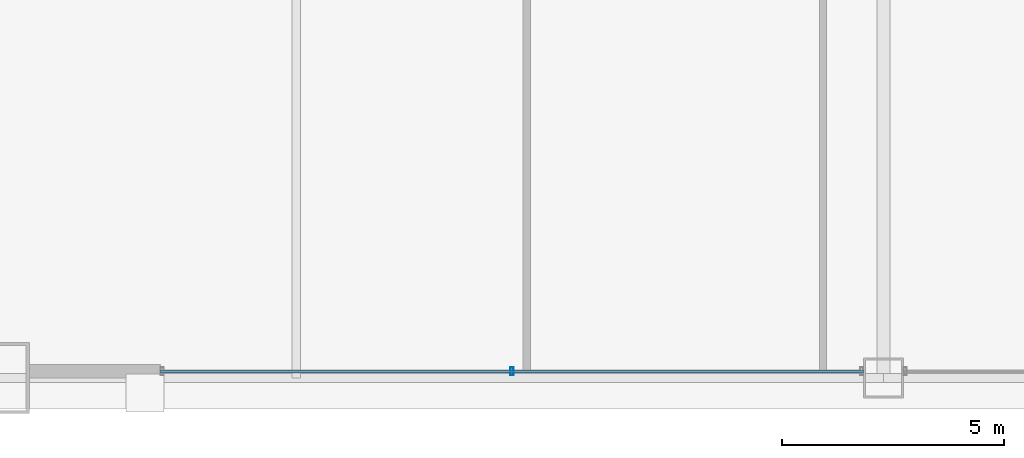
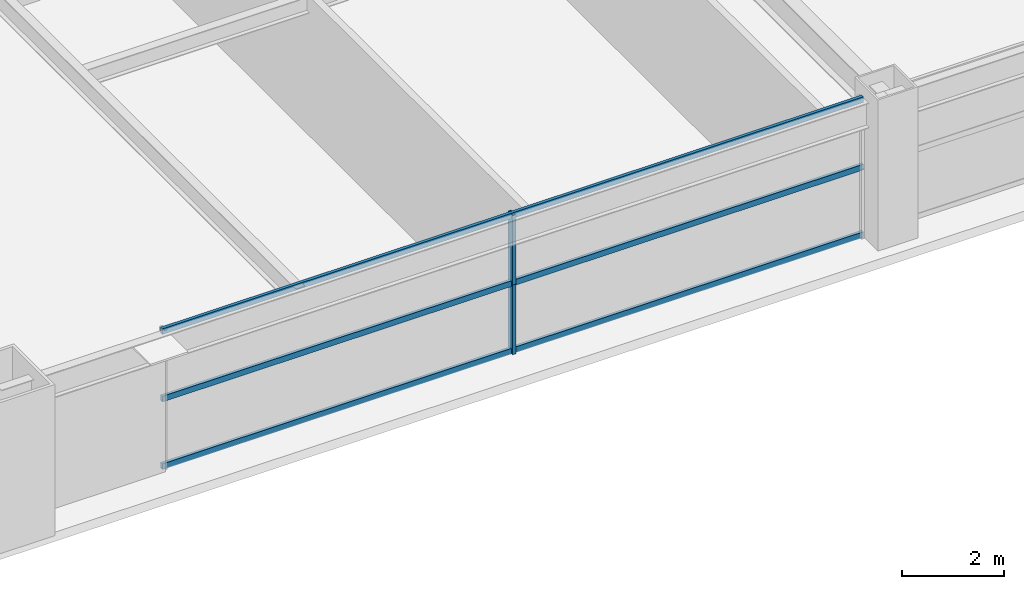
# One storey, part 5 of 38: 5 members, 1 element without a shape of its own.
"""IFC4 building model written with IfcOpenShell, lengths in metres."""

import ifcopenshell
import ifcopenshell.guid

model = None  # the IFC model being written
_history = None  # IfcOwnerHistory: only IFC2X3 demands one
_inside = {}  # id of a spatial element -> (the spatial element, [elements in it])
_under = {}  # id of a project, library or spatial element -> (it, [spatial elements below it])
_declared = {}  # id of a project -> (the project, [libraries it declares])
_typed = {}  # id of a type object -> (the type object, [elements of that type])
_made_of = {}  # id of a material, layer set ... -> (it, [elements and type objects made of it])


def new_model(schema):
    """Start an empty IFC model of exactly this schema.

    Asked for "IFC4X3", IfcOpenShell would pick the latest addendum, in which some entities
    have other attributes; the version numbers below select the first issue.
    IFC2X3 requires an IfcOwnerHistory on every rooted entity: one is made here for all.
    """
    global model, _history
    if schema == "IFC4X3":
        model = ifcopenshell.file(schema_version=(4, 3, 0, 0))
    else:
        model = ifcopenshell.file(schema=schema)
    _inside.clear()
    _under.clear()
    _declared.clear()
    _typed.clear()
    _made_of.clear()
    _history = None
    if model.schema == "IFC2X3":
        org = make("IfcOrganization", Name="unknown")
        user = make(
            "IfcPersonAndOrganization",
            ThePerson=make("IfcPerson", FamilyName="unknown"),
            TheOrganization=org,
        )
        app = make(
            "IfcApplication",
            ApplicationDeveloper=org,
            Version="unknown",
            ApplicationFullName="unknown",
            ApplicationIdentifier="unknown",
        )
        _history = make(
            "IfcOwnerHistory",
            OwningUser=user,
            OwningApplication=app,
            ChangeAction="ADDED",
            CreationDate=0,
        )
    return model


def make(cls, **values):
    """One entity of the class cls with the attributes given. An attribute that is None is left unset."""
    return model.create_entity(
        cls, **{name: value for name, value in values.items() if value is not None}
    )


def rooted(cls, **values):
    """An entity with a GlobalId (a new one), such as an element, a storey or a relation."""
    return make(cls, GlobalId=ifcopenshell.guid.new(), OwnerHistory=_history, **values)


def si_unit(unit_type, name, prefix=None):
    """IfcSIUnit, for example si_unit("LENGTHUNIT", "METRE", prefix="MILLI")."""
    return make("IfcSIUnit", UnitType=unit_type, Prefix=prefix, Name=name)


def assignment(units):
    """IfcUnitAssignment: the units of a project."""
    return None if units is None else make("IfcUnitAssignment", Units=units)


def point(xyz):
    """IfcCartesianPoint."""
    return None if xyz is None else make("IfcCartesianPoint", Coordinates=xyz)


def direction(xyz):
    """IfcDirection."""
    return None if xyz is None else make("IfcDirection", DirectionRatios=xyz)


def frame(location, z_axis=None, x_axis=None):
    """IfcAxis2Placement3D, a coordinate frame: its origin and axes. An axis left out is left unset."""
    return make(
        "IfcAxis2Placement3D",
        Location=point(location),
        Axis=direction(z_axis),
        RefDirection=direction(x_axis),
    )


def frame_2d(location, x_axis=None):
    """IfcAxis2Placement2D, a coordinate frame in the plane: its origin and x axis."""
    return make(
        "IfcAxis2Placement2D", Location=point(location), RefDirection=direction(x_axis)
    )


def origin():
    """The frame at (0, 0, 0) with its axes left unset."""
    return frame((0.0, 0.0, 0.0))


def origin_2d():
    """The frame at (0, 0) in the plane with its x axis left unset."""
    return frame_2d((0.0, 0.0))


def place(relative_to, where):
    """IfcLocalPlacement: puts the frame where relative to a parent placement (None: the world)."""
    return make(
        "IfcLocalPlacement", PlacementRelTo=relative_to, RelativePlacement=where
    )


def context(
    kind, dimensions, precision=None, world=None, true_north=None, identifier=None
):
    """IfcGeometricRepresentationContext, for example the 3D "Model" context."""
    return make(
        "IfcGeometricRepresentationContext",
        ContextIdentifier=identifier,
        ContextType=kind,
        CoordinateSpaceDimension=dimensions,
        Precision=precision,
        WorldCoordinateSystem=world,
        TrueNorth=true_north,
    )


def subcontext(parent, identifier, kind, view, scale=None):
    """IfcGeometricRepresentationSubContext, for example "Body" below "Model"."""
    return make(
        "IfcGeometricRepresentationSubContext",
        ContextIdentifier=identifier,
        ContextType=kind,
        ParentContext=parent,
        TargetScale=scale,
        TargetView=view,
    )


def project(units=None, contexts=None):
    """IfcProject with its units and contexts."""
    return rooted(
        "IfcProject",
        Name="project",
        RepresentationContexts=contexts,
        UnitsInContext=assignment(units),
    )


def spatial(cls, under=None, at=None, **own):
    """A site, building, storey or space (cls), placed at a placement, below another one or the project."""
    s = rooted(cls, ObjectPlacement=at, **own)
    if under is not None:
        _under.setdefault(under.id(), (under, []))[1].append(s)
    return s


def profile(cls, at=None, kind="AREA", **sizes):
    """A parametric profile (cls). Its sizes go by their IFC names, for example OverallWidth=200.0."""
    return make(cls, ProfileType=kind, Position=at, **sizes)


def hollow_rectangle(**sizes):
    """IfcRectangleHollowProfileDef."""
    return profile("IfcRectangleHollowProfileDef", **sizes)


def extrude(swept, where, along, depth):
    """IfcExtrudedAreaSolid: the profile swept, set in the frame where, extruded along a direction by depth."""
    return make(
        "IfcExtrudedAreaSolid",
        SweptArea=swept,
        Position=where,
        ExtrudedDirection=direction(along),
        Depth=depth,
    )


def shape(context_of_items, identifier, shape_type, items):
    """IfcShapeRepresentation: the items that make up one representation, for example the "Body"."""
    return make(
        "IfcShapeRepresentation",
        ContextOfItems=context_of_items,
        RepresentationIdentifier=identifier,
        RepresentationType=shape_type,
        Items=items,
    )


def source(mapping_origin, context_of_items, identifier, shape_type, items):
    """IfcRepresentationMap: a shape defined once, which mapped items show again and again."""
    return make(
        "IfcRepresentationMap",
        MappingOrigin=mapping_origin,
        MappedRepresentation=shape(context_of_items, identifier, shape_type, items),
    )


def transform(
    local_origin,
    x_axis=None,
    y_axis=None,
    z_axis=None,
    scale=None,
    scale2=None,
    scale3=None,
    uniform=True,
):
    """IfcCartesianTransformationOperator3D, or its non-uniform kind. x_axis, y_axis, z_axis: its Axis1, 2, 3."""
    if uniform:
        return make(
            "IfcCartesianTransformationOperator3D",
            Axis1=direction(x_axis),
            Axis2=direction(y_axis),
            LocalOrigin=point(local_origin),
            Scale=scale,
            Axis3=direction(z_axis),
        )
    return make(
        "IfcCartesianTransformationOperator3DnonUniform",
        Axis1=direction(x_axis),
        Axis2=direction(y_axis),
        LocalOrigin=point(local_origin),
        Scale=scale,
        Axis3=direction(z_axis),
        Scale2=scale2,
        Scale3=scale3,
    )


def mapped(mapping_source, mapping_target):
    """IfcMappedItem: shows the shape of a source again, moved by a transform."""
    return make(
        "IfcMappedItem", MappingSource=mapping_source, MappingTarget=mapping_target
    )


def material(Name=None, Category=None):
    """IfcMaterial."""
    return make("IfcMaterial", Name=Name, Category=Category)


def layer(
    of_material, thickness, ventilated=None, Name=None, Category=None, Priority=None
):
    """IfcMaterialLayer: one layer of a wall or slab, of a material (None: an air gap)."""
    return make(
        "IfcMaterialLayer",
        Material=of_material,
        LayerThickness=thickness,
        IsVentilated=ventilated,
        Name=Name,
        Category=Category,
        Priority=Priority,
    )


def layer_set(layers, Name=None):
    """IfcMaterialLayerSet."""
    return make("IfcMaterialLayerSet", MaterialLayers=layers, LayerSetName=Name)


def material_profile(
    of_material, cross_section, Name=None, Category=None, Priority=None
):
    """IfcMaterialProfile: a cross section and its material."""
    return make(
        "IfcMaterialProfile",
        Name=Name,
        Material=of_material,
        Profile=cross_section,
        Priority=Priority,
        Category=Category,
    )


def profile_set(profiles, Name=None, composite=None):
    """IfcMaterialProfileSet."""
    return make(
        "IfcMaterialProfileSet",
        Name=Name,
        MaterialProfiles=profiles,
        CompositeProfile=composite,
    )


def made_of(thing, what):
    """Note that an element or type object is made of a material, layer set ...; save() writes the relation."""
    if what is not None:
        _made_of.setdefault(what.id(), (what, []))[1].append(thing)
    return thing


def type_object(cls, material=None, **own):
    """A type object (cls), such as IfcWallType, which elements share."""
    return made_of(rooted(cls, **own), material)


def element(
    cls,
    number,
    at=None,
    inside=None,
    cuts=None,
    type_object=None,
    material=None,
    context=None,
    identifier="Body",
    shape_type=None,
    held_by="IfcProductDefinitionShape",
    body=None,
    shapes=None,
    **own,
):
    """One element of the class cls, such as IfcWall. Its Tag is "e" and its number.

    at: its placement. inside: the storey or other place that contains it. cuts: it is an
    opening in that element (IfcRelVoidsElement). A single representation is given by context,
    identifier, shape_type and body (its items); several are given by shapes. held_by: the class
    of the entity that holds the representations. save() writes the other relations.
    """
    e = rooted(cls, Tag="e%d" % number, ObjectPlacement=at, **own)
    if body is not None:
        shapes = [shape(context, identifier, shape_type, body)]
    if shapes is not None:
        e.Representation = make(held_by, Representations=shapes)
    if inside is not None:
        _inside.setdefault(inside.id(), (inside, []))[1].append(e)
    if cuts is not None:
        rooted(
            "IfcRelVoidsElement", RelatingBuildingElement=cuts, RelatedOpeningElement=e
        )
    if type_object is not None:
        _typed.setdefault(type_object.id(), (type_object, []))[1].append(e)
    return made_of(e, material)


def aggregate(whole, parts):
    """IfcRelAggregates: a whole, such as a stair, and the parts it consists of."""
    return rooted("IfcRelAggregates", RelatingObject=whole, RelatedObjects=parts)


def save(model, path):
    """Write the relations noted so far, then the file.

    IfcRelAggregates (storeys below a building ...), IfcRelContainedInSpatialStructure (elements
    in a storey), IfcRelDefinesByType, IfcRelAssociatesMaterial and IfcRelDeclares: one each for
    every whole, place, type object, material and project.
    """
    for whole, parts in _under.values():
        aggregate(whole, parts)
    for where, things in _inside.values():
        rooted(
            "IfcRelContainedInSpatialStructure",
            RelatedElements=things,
            RelatingStructure=where,
        )
    for kind, things in _typed.values():
        rooted("IfcRelDefinesByType", RelatedObjects=things, RelatingType=kind)
    for what, things in _made_of.values():
        rooted("IfcRelAssociatesMaterial", RelatedObjects=things, RelatingMaterial=what)
    for by, libraries in _declared.values():
        rooted("IfcRelDeclares", RelatingContext=by, RelatedDefinitions=libraries)
    model.write(path)


model = new_model("IFC4")

# Units and contexts
model_context = context("Model", 3, precision=1e-05, world=origin(), true_north=direction((0.0, 1.0)))
body_context = subcontext(model_context, "Body", "Model", "MODEL_VIEW")
ifc_project = project(units=[si_unit("LENGTHUNIT", "METRE"), si_unit("AREAUNIT", "SQUARE_METRE"), si_unit("VOLUMEUNIT", "CUBIC_METRE"), si_unit("PLANEANGLEUNIT", "RADIAN"), si_unit("MASSUNIT", "GRAM", prefix="KILO"), si_unit("THERMODYNAMICTEMPERATUREUNIT", "KELVIN"), si_unit("POWERUNIT", "WATT")], contexts=[model_context])

# Site, building, storey
site_placement = place(None, origin())
site = spatial("IfcSite", under=ifc_project, at=site_placement, CompositionType="ELEMENT")
building_placement = place(site_placement, origin())
building = spatial("IfcBuilding", under=site, at=building_placement, Name="Yuzanri Waterfront Tower", CompositionType="ELEMENT")
storey_placement = place(building_placement, frame((0.0, 0.0, 126.199951171875)))
storey = spatial("IfcBuildingStorey", under=building, at=storey_placement, Name="L33", CompositionType="ELEMENT", Elevation=126.199951171875)

# Curtain wall, members
ifc_material_1 = material(Name="Anodized Architectural Bronze", Category="metal")
ifc_layer = layer(ifc_material_1, 0.159912109375)
ifc_layer_set = layer_set([ifc_layer], Name="Anodized Architectural Bronze")
curtain_wall_type = type_object("IfcCurtainWallType", Name="Anodized Bronze Hotel Upper-Tier Solar-Control Unitized Curtain Wall 7800", PredefinedType="NOTDEFINED", material=ifc_layer_set)
curtain_wall_placement = place(storey_placement, origin())
curtain_wall = element("IfcCurtainWall", 1, at=curtain_wall_placement, inside=storey, type_object=curtain_wall_type, Name="L33 Curtain Wall CW-L33-SL", PredefinedType="NOTDEFINED")
ifc_material_2 = material(Name="Anodized Architectural Bronze", Category="metal")
ifc_material_profile_1 = material_profile(ifc_material_2, hollow_rectangle(XDim=0.070068359375, YDim=0.179931640625, WallThickness=0.00390625, at=origin_2d()), Name="CWM 70x180")
ifc_profile_set_1 = profile_set([ifc_material_profile_1], Name="Anodized Architectural Bronze")
member_type_1 = type_object("IfcMemberType", Name="Anodized Bronze Standard Curtain-Wall Mullion 70x180", PredefinedType="MULLION", material=ifc_profile_set_1)
shared_shape_1 = source(origin(), body_context, "Body", "SweptSolid", [
    extrude(hollow_rectangle(XDim=0.070068359375, YDim=0.179931640625, WallThickness=0.00390625, at=origin_2d()), origin(), (0.0, 0.0, 1.0), 1.657958984375),
])
member_1_placement = place(storey_placement, frame((28.64990234375, 2.35009765625, 0.0), z_axis=(0.0, 0.0, 1.0), x_axis=(1.0, 0.0, 0.0)))
member_1 = element("IfcMember", 2, at=member_1_placement, type_object=member_type_1, Name="CW-L33-SL Lower Mullion 01", PredefinedType="MULLION", context=body_context, shape_type="MappedRepresentation", body=[
    mapped(shared_shape_1, transform((0.0, 0.0, 0.0), scale=1.0)),
])
member_2_placement = place(storey_placement, frame((28.64990234375, 2.35009765625, 1.662109375), z_axis=(0.0, 0.0, 1.0), x_axis=(1.0, 0.0, 0.0)))
member_2 = element("IfcMember", 3, at=member_2_placement, type_object=member_type_1, Name="CW-L33-SL Upper Mullion 01", PredefinedType="MULLION", context=body_context, shape_type="MappedRepresentation", body=[
    mapped(shared_shape_1, transform((0.0, 0.0, 0.0), scale=1.0)),
])
ifc_material_3 = material(Name="Anodized Architectural Bronze", Category="metal")
ifc_material_profile_2 = material_profile(ifc_material_3, hollow_rectangle(XDim=0.070068359375, YDim=0.135009765625, WallThickness=0.00341796875, at=origin_2d()), Name="CWT 70x135")
ifc_profile_set_2 = profile_set([ifc_material_profile_2], Name="Anodized Architectural Bronze")
member_type_2 = type_object("IfcMemberType", Name="Anodized Bronze Standard Curtain-Wall Transom 70x135", PredefinedType="USERDEFINED", material=ifc_profile_set_2)
shared_shape_2 = source(origin(), body_context, "Body", "SweptSolid", [
    extrude(hollow_rectangle(XDim=0.070068359375, YDim=0.135009765625, WallThickness=0.00341796875, at=origin_2d()), origin(), (0.0, 0.0, 1.0), 15.800048828125),
])
member_3_placement = place(storey_placement, frame((20.75, 2.35009765625, 0.050048828125), z_axis=(1.0, 0.0, 0.0), x_axis=(0.0, 1.0, 0.0)))
member_3 = element("IfcMember", 4, at=member_3_placement, type_object=member_type_2, Name="CW-L33-SL Transom 1", ObjectType="TRANSOM", PredefinedType="USERDEFINED", context=body_context, shape_type="MappedRepresentation", body=[
    mapped(shared_shape_2, transform((0.0, 0.0, 0.0), scale=1.0)),
])
member_4_placement = place(storey_placement, frame((20.75, 2.35009765625, 1.66015625), z_axis=(1.0, 0.0, 0.0), x_axis=(0.0, 1.0, 0.0)))
member_4 = element("IfcMember", 5, at=member_4_placement, type_object=member_type_2, Name="CW-L33-SL Transom 2", ObjectType="TRANSOM", PredefinedType="USERDEFINED", context=body_context, shape_type="MappedRepresentation", body=[
    mapped(shared_shape_2, transform((0.0, 0.0, 0.0), scale=1.0)),
])
member_5_placement = place(storey_placement, frame((20.75, 2.35009765625, 3.27001953125), z_axis=(1.0, 0.0, 0.0), x_axis=(0.0, 1.0, 0.0)))
member_5 = element("IfcMember", 6, at=member_5_placement, type_object=member_type_2, Name="CW-L33-SL Transom 3", ObjectType="TRANSOM", PredefinedType="USERDEFINED", context=body_context, shape_type="MappedRepresentation", body=[
    mapped(shared_shape_2, transform((0.0, 0.0, 0.0), scale=1.0)),
])
aggregate(curtain_wall, [member_1, member_2, member_3, member_4, member_5])

save(model, "model.ifc")
